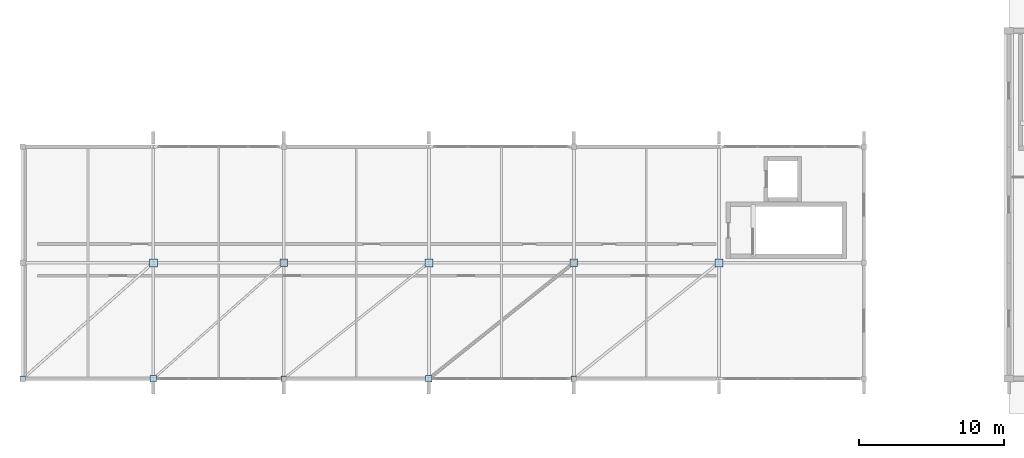
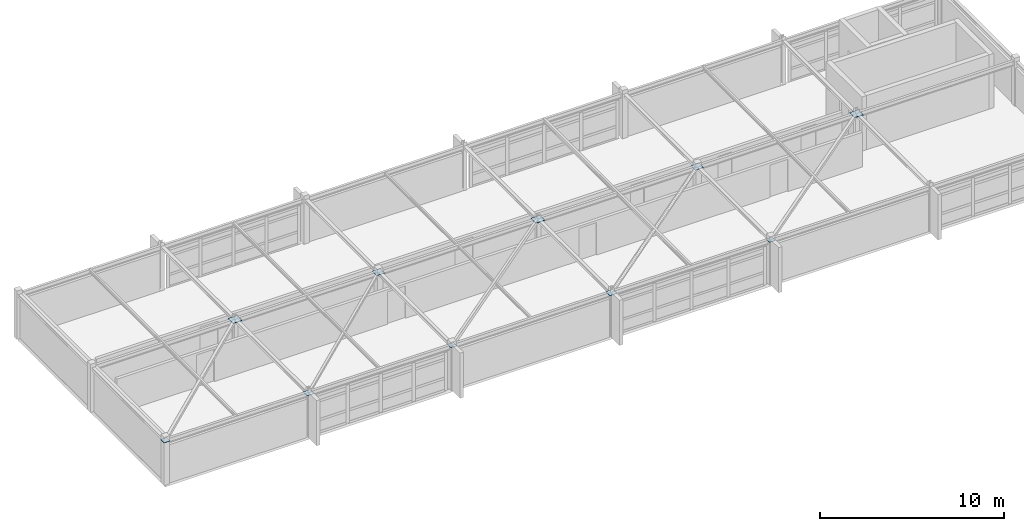
# One storey, part 52 of 83: 10 plates.
"""IFC4 building model written with IfcOpenShell, lengths in metres."""

from ifc_helpers import new_model, si_unit, direction, frame, origin, origin_2d, place, context, subcontext, project, spatial, rectangle, extrude, material, layer, layer_set, type_object, element, save


model = new_model("IFC4")

# Units and contexts
model_context = context("Model", 3, precision=1e-05, world=origin(), true_north=direction((0.0, 1.0)))
body_context = subcontext(model_context, "Body", "Model", "MODEL_VIEW")
ifc_project = project(units=[si_unit("LENGTHUNIT", "METRE"), si_unit("AREAUNIT", "SQUARE_METRE"), si_unit("VOLUMEUNIT", "CUBIC_METRE"), si_unit("PLANEANGLEUNIT", "RADIAN"), si_unit("MASSUNIT", "GRAM", prefix="KILO")], contexts=[model_context])

# Site, building, storey
site_placement = place(None, origin())
site = spatial("IfcSite", under=ifc_project, at=site_placement, CompositionType="ELEMENT")
building_placement = place(site_placement, origin())
building = spatial("IfcBuilding", under=site, at=building_placement, Name="Zimvara Arc Housing Community", CompositionType="ELEMENT")
storey_placement = place(building_placement, frame((0.0, 0.0, 4.5)))
storey = spatial("IfcBuildingStorey", under=building, at=storey_placement, Name="L01", CompositionType="ELEMENT", Elevation=4.5)

# Plates
ifc_material_1 = material(Name="Steel S355", Category="steel")
ifc_layer_1 = layer(ifc_material_1, 0.02490234375)
ifc_layer_set_1 = layer_set([ifc_layer_1], Name="Steel S355")
plate_type_1 = type_object("IfcPlateType", Name="PLT-CONN-01", PredefinedType="SHEET", material=ifc_layer_set_1)
for number, where, z_axis, x_axis, name in (
    (1, (9.0, 3.60009765625, 2.837646484375), (0.0, 0.0, 1.0), (1.0, 0.0, 0.0), "plate:brace_end:065"),
    (2, (28.0, 3.60009765625, 2.837646484375), (0.0, 0.0, 1.0), (1.0, 0.0, 0.0), "plate:brace_end:069"),
):
    element("IfcPlate", number, at=place(storey_placement, frame(where, z_axis=z_axis, x_axis=x_axis)), inside=storey, type_object=plate_type_1, Name=name, PredefinedType="SHEET", context=body_context, shape_type="SweptSolid", body=[
        extrude(rectangle(XDim=0.449951171875, YDim=0.449951171875, at=origin_2d()), origin(), (0.0, 0.0, 1.0), 0.02490234375),
    ])
ifc_material_2 = material(Name="Steel S355", Category="steel")
ifc_layer_2 = layer(ifc_material_2, 0.030029296875)
ifc_layer_set_2 = layer_set([ifc_layer_2], Name="Steel S355")
plate_type_2 = type_object("IfcPlateType", Name="PLT-CONN-02", PredefinedType="SHEET", material=ifc_layer_set_2)
for number, where, z_axis, x_axis, name in (
    (3, (18.0, 11.60009765625, 2.8349609375), (0.0, 0.0, 1.0), (1.0, 0.0, 0.0), "plate:brace_end:066"),
    (4, (38.0, 11.60009765625, 2.8349609375), (0.0, 0.0, 1.0), (1.0, 0.0, 0.0), "plate:brace_end:070"),
):
    element("IfcPlate", number, at=place(storey_placement, frame(where, z_axis=z_axis, x_axis=x_axis)), inside=storey, type_object=plate_type_2, Name=name, PredefinedType="SHEET", context=body_context, shape_type="SweptSolid", body=[
        extrude(rectangle(XDim=0.5, YDim=0.5, at=origin_2d()), origin(), (0.0, 0.0, 1.0), 0.030029296875),
    ])
ifc_material_3 = material(Name="Steel S355", Category="steel")
ifc_layer_3 = layer(ifc_material_3, 0.02197265625)
ifc_layer_set_3 = layer_set([ifc_layer_3], Name="Steel S355")
plate_type_3 = type_object("IfcPlateType", Name="PLT-CONN-03", PredefinedType="SHEET", material=ifc_layer_set_3)
for number, where, z_axis, x_axis, name in (
    (5, (0.0, 3.60009765625, 2.839111328125), (0.0, 0.0, 1.0), (1.0, 0.0, 0.0), "plate:brace_end:063"),
    (6, (18.0, 3.60009765625, 2.839111328125), (0.0, 0.0, 1.0), (1.0, 0.0, 0.0), "plate:brace_end:067"),
    (7, (38.0, 3.60009765625, 2.839111328125), (0.0, 0.0, 1.0), (1.0, 0.0, 0.0), "plate:brace_end:071"),
):
    element("IfcPlate", number, at=place(storey_placement, frame(where, z_axis=z_axis, x_axis=x_axis)), inside=storey, type_object=plate_type_3, Name=name, PredefinedType="SHEET", context=body_context, shape_type="SweptSolid", body=[
        extrude(rectangle(XDim=0.3798828125, YDim=0.3798828125, at=origin_2d()), origin(), (0.0, 0.0, 1.0), 0.02197265625),
    ])
ifc_material_4 = material(Name="Steel S355", Category="steel")
ifc_layer_4 = layer(ifc_material_4, 0.034912109375)
ifc_layer_set_4 = layer_set([ifc_layer_4], Name="Steel S355")
plate_type_4 = type_object("IfcPlateType", Name="PLT-CONN-04", PredefinedType="SHEET", material=ifc_layer_set_4)
for number, where, z_axis, x_axis, name in (
    (8, (9.0, 11.60009765625, 2.83251953125), (0.0, 0.0, 1.0), (1.0, 0.0, 0.0), "plate:brace_end:064"),
    (9, (28.0, 11.60009765625, 2.83251953125), (0.0, 0.0, 1.0), (1.0, 0.0, 0.0), "plate:brace_end:068"),
    (10, (48.0, 11.60009765625, 2.83251953125), (0.0, 0.0, 1.0), (1.0, 0.0, 0.0), "plate:brace_end:072"),
):
    element("IfcPlate", number, at=place(storey_placement, frame(where, z_axis=z_axis, x_axis=x_axis)), inside=storey, type_object=plate_type_4, Name=name, PredefinedType="SHEET", context=body_context, shape_type="SweptSolid", body=[
        extrude(rectangle(XDim=0.550048828125, YDim=0.550048828125, at=origin_2d()), origin(), (0.0, 0.0, 1.0), 0.034912109375),
    ])

save(model, "model.ifc")
